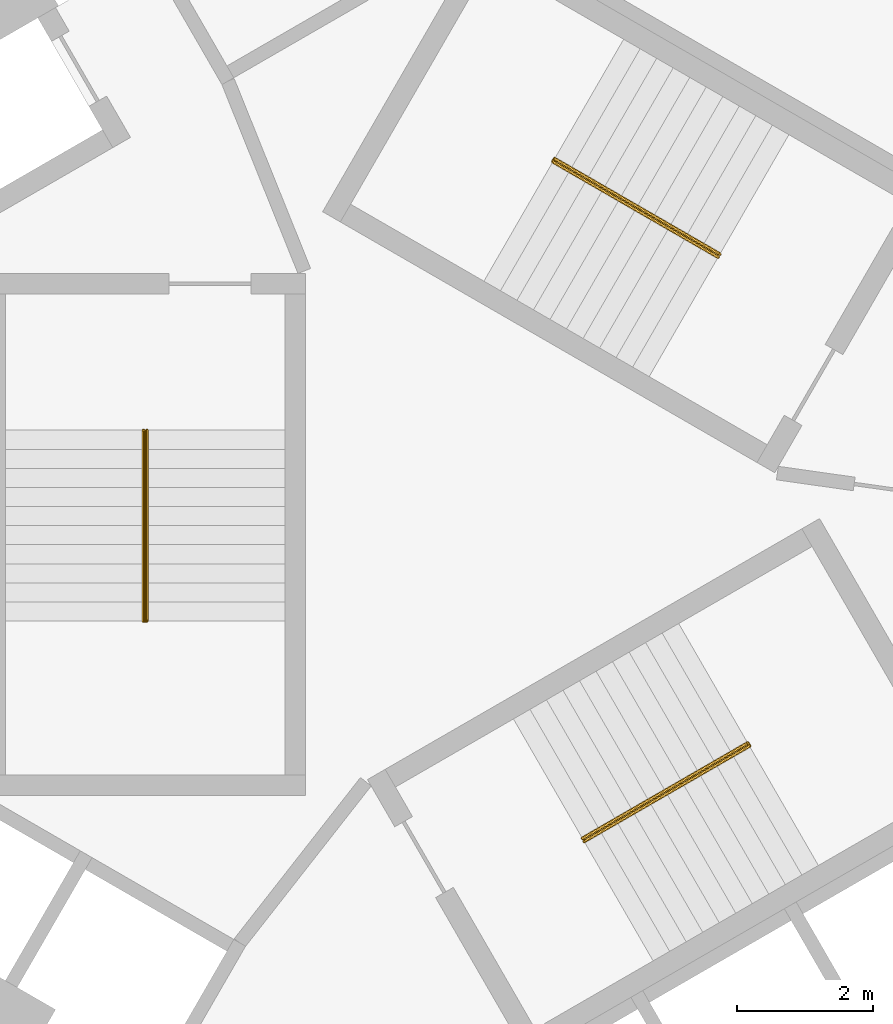
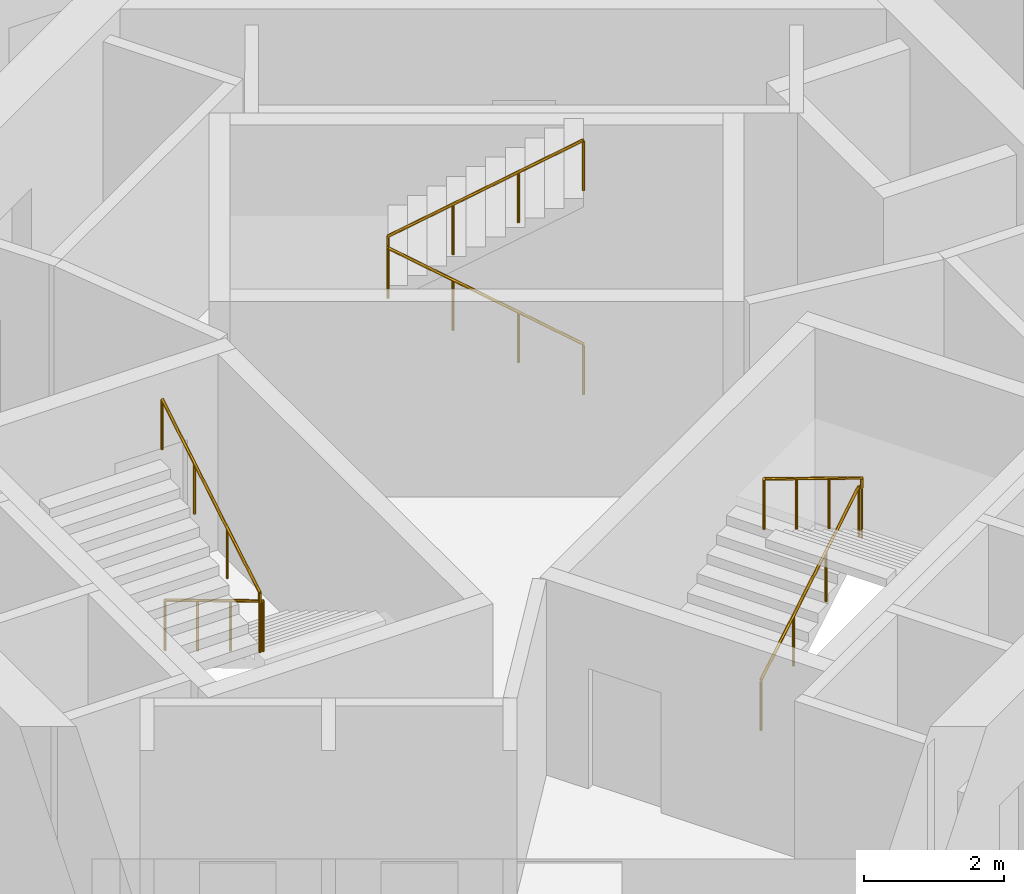
# One storey, part 11 of 11: 3 railings.
"""IFC4 building model written with IfcOpenShell, lengths in metres."""

from ifc_helpers import new_model, si_unit, direction, frame, origin, origin_2d, place, context, subcontext, project, spatial, circle, extrude, material, type_object, element, save


model = new_model("IFC4")

# Units and contexts
model_context = context("Model", 3, precision=1e-05, world=origin(), true_north=direction((0.0, 1.0)))
body_context = subcontext(model_context, "Body", "Model", "MODEL_VIEW")
ifc_project = project(units=[si_unit("LENGTHUNIT", "METRE"), si_unit("AREAUNIT", "SQUARE_METRE"), si_unit("VOLUMEUNIT", "CUBIC_METRE"), si_unit("PLANEANGLEUNIT", "RADIAN"), si_unit("MASSUNIT", "GRAM", prefix="KILO")], contexts=[model_context])

# Site, building, storey
site_placement = place(None, origin())
site = spatial("IfcSite", under=ifc_project, at=site_placement, CompositionType="ELEMENT")
building_placement = place(site_placement, origin())
building = spatial("IfcBuilding", under=site, at=building_placement, Name="Vanh Sen Convention Tower", CompositionType="ELEMENT")
storey_placement = place(building_placement, frame((0.0, 0.0, 285.699951171875)))
storey = spatial("IfcBuildingStorey", under=building, at=storey_placement, Name="L70", CompositionType="ELEMENT", Elevation=285.699951171875)

# Railings
ifc_material = material(Name="Stainless steel handrail", Category="steel")
railing_type = type_object("IfcRailingType", Name="Stair handrail 900", PredefinedType="HANDRAIL", material=ifc_material)
railing_1_placement = place(storey_placement, frame((3.45849609375, 3.690185546875, 0.168212890625)))
element("IfcRailing", 1, at=railing_1_placement, inside=storey, type_object=railing_type, Name="Stair handrail ST1 L70", PredefinedType="HANDRAIL", context=body_context, shape_type="SweptSolid", body=[
    extrude(circle(Radius=0.02392578125, at=origin_2d()), frame((0.0, 0.0, 0.8759765625), z_axis=(-0.742390482028, 0.42860119049, 0.514934356695), x_axis=(-0.49998411664, -0.866034573852, 0.0)), (0.0, 0.0, 1.0), 3.26611328125),
    extrude(circle(Radius=0.02392578125, at=origin_2d()), frame((-2.4248046875, 1.39990234375, 2.5576171875), z_axis=(0.497188445666, 0.867642581652, 0.0), x_axis=(-0.867642581652, 0.497188445666, 0.0)), (0.0, 0.0, 1.0), 0.050048828125),
    extrude(circle(Radius=0.02392578125, at=origin_2d()), frame((-2.39990234375, 1.443359375, 2.5576171875), z_axis=(0.0, 0.0, 1.0), x_axis=(1.0, 0.0, 0.0)), (0.0, 0.0, 1.0), 0.168212890625),
    extrude(circle(Radius=0.02392578125, at=origin_2d()), frame((-2.39990234375, 1.443359375, 2.72607421875), z_axis=(0.742395268701, -0.428678701772, 0.514862928999), x_axis=(0.500049511043, 0.865996816683, 0.0)), (0.0, 0.0, 1.0), 3.26611328125),
    extrude(circle(Radius=0.02099609375, at=origin_2d()), origin(), (0.0, 0.0, 1.0), 0.851806640625),
    extrude(circle(Radius=0.02099609375, at=origin_2d()), frame((-0.808349609375, 0.466552734375, 0.560546875)), (0.0, 0.0, 1.0), 0.851806640625),
    extrude(circle(Radius=0.02099609375, at=origin_2d()), frame((-1.616455078125, 0.933349609375, 1.121337890625)), (0.0, 0.0, 1.0), 0.851806640625),
    extrude(circle(Radius=0.02099609375, at=origin_2d()), frame((-2.4248046875, 1.39990234375, 1.681884765625)), (0.0, 0.0, 1.0), 0.851806640625),
    extrude(circle(Radius=0.02099609375, at=origin_2d()), frame((-2.39990234375, 1.443359375, 1.681884765625)), (0.0, 0.0, 1.0), 0.851806640625),
    extrude(circle(Radius=0.02099609375, at=origin_2d()), frame((-2.39990234375, 1.443359375, 1.85009765625)), (0.0, 0.0, 1.0), 0.851806640625),
    extrude(circle(Radius=0.02099609375, at=origin_2d()), frame((-1.591552734375, 0.9765625, 2.41064453125)), (0.0, 0.0, 1.0), 0.851806640625),
    extrude(circle(Radius=0.02099609375, at=origin_2d()), frame((-0.783447265625, 0.510009765625, 2.97119140625)), (0.0, 0.0, 1.0), 0.851806640625),
    extrude(circle(Radius=0.02099609375, at=origin_2d()), frame((0.02490234375, 0.043212890625, 3.53173828125)), (0.0, 0.0, 1.0), 0.851806640625),
])
railing_2_placement = place(storey_placement, frame((-4.925048828125, 1.14990234375, 0.168212890625)))
element("IfcRailing", 2, at=railing_2_placement, inside=storey, type_object=railing_type, Name="Stair handrail ST2 L70", PredefinedType="HANDRAIL", context=body_context, shape_type="SweptSolid", body=[
    extrude(circle(Radius=0.02392578125, at=origin_2d()), frame((0.0, 0.0, 0.8759765625), z_axis=(0.0, -0.857222391501, 0.514946377315), x_axis=(1.0, 0.0, 0.0)), (0.0, 0.0, 1.0), 3.26611328125),
    extrude(circle(Radius=0.02392578125, at=origin_2d()), frame((0.0, -2.7998046875, 2.5576171875), z_axis=(-1.0, 0.0, 0.0), x_axis=(0.0, -1.0, 0.0)), (0.0, 0.0, 1.0), 0.050048828125),
    extrude(circle(Radius=0.02392578125, at=origin_2d()), frame((-0.050048828125, -2.7998046875, 2.5576171875), z_axis=(0.0, 0.0, 1.0), x_axis=(1.0, 0.0, 0.0)), (0.0, 0.0, 1.0), 0.168212890625),
    extrude(circle(Radius=0.02392578125, at=origin_2d()), frame((-0.050048828125, -2.7998046875, 2.72607421875), z_axis=(0.0, 0.857255387014, 0.514891446264), x_axis=(-1.0, 0.0, 0.0)), (0.0, 0.0, 1.0), 3.26611328125),
    extrude(circle(Radius=0.02099609375, at=origin_2d()), origin(), (0.0, 0.0, 1.0), 0.851806640625),
    extrude(circle(Radius=0.02099609375, at=origin_2d()), frame((0.0, -0.933349609375, 0.560546875)), (0.0, 0.0, 1.0), 0.851806640625),
    extrude(circle(Radius=0.02099609375, at=origin_2d()), frame((0.0, -1.866455078125, 1.121337890625)), (0.0, 0.0, 1.0), 0.851806640625),
    extrude(circle(Radius=0.02099609375, at=origin_2d()), frame((0.0, -2.7998046875, 1.681884765625)), (0.0, 0.0, 1.0), 0.851806640625),
    extrude(circle(Radius=0.02099609375, at=origin_2d()), frame((-0.050048828125, -2.7998046875, 1.681884765625)), (0.0, 0.0, 1.0), 0.851806640625),
    extrude(circle(Radius=0.02099609375, at=origin_2d()), frame((-0.050048828125, -2.7998046875, 1.85009765625)), (0.0, 0.0, 1.0), 0.851806640625),
    extrude(circle(Radius=0.02099609375, at=origin_2d()), frame((-0.050048828125, -1.866455078125, 2.41064453125)), (0.0, 0.0, 1.0), 0.851806640625),
    extrude(circle(Radius=0.02099609375, at=origin_2d()), frame((-0.050048828125, -0.933349609375, 2.97119140625)), (0.0, 0.0, 1.0), 0.851806640625),
    extrude(circle(Radius=0.02099609375, at=origin_2d()), frame((-0.050048828125, 0.0, 3.53173828125)), (0.0, 0.0, 1.0), 0.851806640625),
])
railing_3_placement = place(storey_placement, frame((1.466552734375, -4.840087890625, 0.168212890625)))
element("IfcRailing", 3, at=railing_3_placement, inside=storey, type_object=railing_type, Name="Stair handrail ST3 L70", PredefinedType="HANDRAIL", context=body_context, shape_type="SweptSolid", body=[
    extrude(circle(Radius=0.02392578125, at=origin_2d()), frame((0.0, 0.0, 0.8759765625), z_axis=(0.742390482028, 0.42860119049, 0.514934356695), x_axis=(-0.49998411664, 0.866034573852, 0.0)), (0.0, 0.0, 1.0), 3.26611328125),
    extrude(circle(Radius=0.02392578125, at=origin_2d()), frame((2.4248046875, 1.39990234375, 2.5576171875), z_axis=(0.502959906984, -0.86430974307, 0.0), x_axis=(0.86430974307, 0.502959906984, 0.0)), (0.0, 0.0, 1.0), 0.050048828125),
    extrude(circle(Radius=0.02392578125, at=origin_2d()), frame((2.449951171875, 1.356689453125, 2.5576171875), z_axis=(0.0, 0.0, 1.0), x_axis=(1.0, 0.0, 0.0)), (0.0, 0.0, 1.0), 0.168212890625),
    extrude(circle(Radius=0.02392578125, at=origin_2d()), frame((2.449951171875, 1.356689453125, 2.72607421875), z_axis=(-0.742395268701, -0.428678701772, 0.514862928999), x_axis=(0.500049511043, -0.865996816683, 0.0)), (0.0, 0.0, 1.0), 3.26611328125),
    extrude(circle(Radius=0.02099609375, at=origin_2d()), origin(), (0.0, 0.0, 1.0), 0.851806640625),
    extrude(circle(Radius=0.02099609375, at=origin_2d()), frame((0.808349609375, 0.466552734375, 0.560546875)), (0.0, 0.0, 1.0), 0.851806640625),
    extrude(circle(Radius=0.02099609375, at=origin_2d()), frame((1.616455078125, 0.933349609375, 1.121337890625)), (0.0, 0.0, 1.0), 0.851806640625),
    extrude(circle(Radius=0.02099609375, at=origin_2d()), frame((2.4248046875, 1.39990234375, 1.681884765625)), (0.0, 0.0, 1.0), 0.851806640625),
    extrude(circle(Radius=0.02099609375, at=origin_2d()), frame((2.449951171875, 1.356689453125, 1.681884765625)), (0.0, 0.0, 1.0), 0.851806640625),
    extrude(circle(Radius=0.02099609375, at=origin_2d()), frame((2.449951171875, 1.356689453125, 1.85009765625)), (0.0, 0.0, 1.0), 0.851806640625),
    extrude(circle(Radius=0.02099609375, at=origin_2d()), frame((1.6416015625, 0.889892578125, 2.41064453125)), (0.0, 0.0, 1.0), 0.851806640625),
    extrude(circle(Radius=0.02099609375, at=origin_2d()), frame((0.83349609375, 0.42333984375, 2.97119140625)), (0.0, 0.0, 1.0), 0.851806640625),
    extrude(circle(Radius=0.02099609375, at=origin_2d()), frame((0.025146484375, -0.04345703125, 3.53173828125)), (0.0, 0.0, 1.0), 0.851806640625),
])

save(model, "model.ifc")
